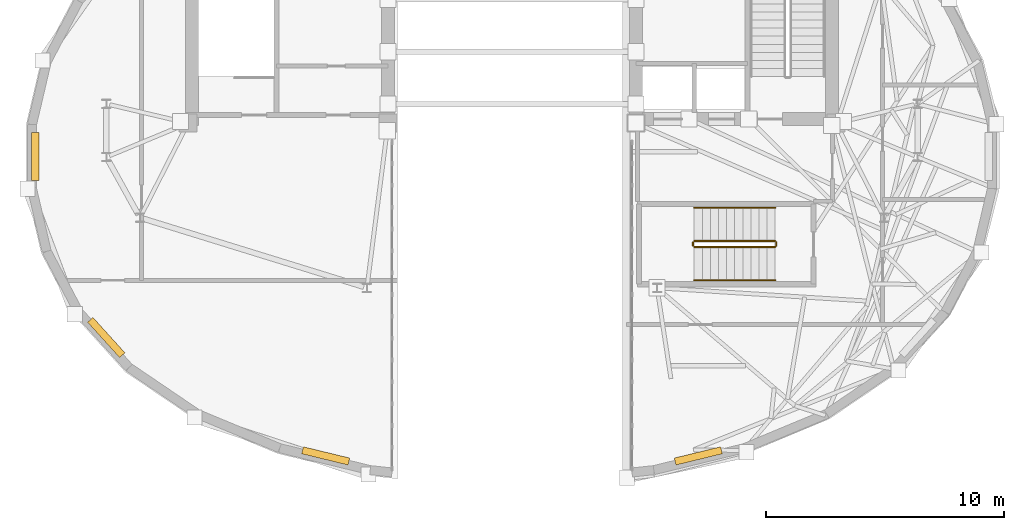
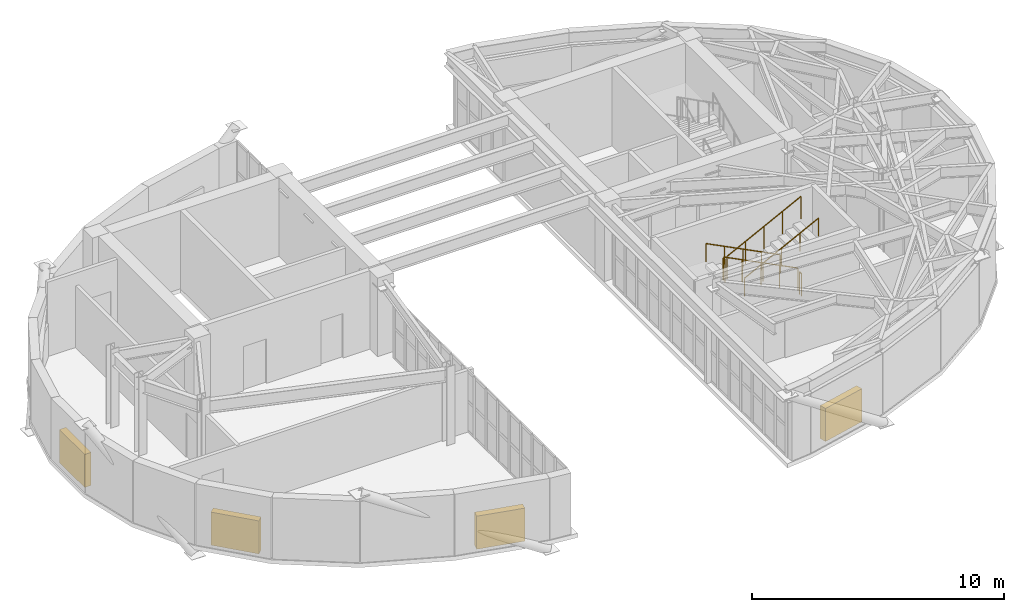
# One storey, part 11 of 13: 6 railings, 4 shading devices.
"""IFC4 building model written with IfcOpenShell, lengths in metres."""

from ifc_helpers import new_model, si_unit, direction, frame, origin, origin_2d, place, context, subcontext, project, spatial, rectangle, circle, extrude, material, type_object, element, save


model = new_model("IFC4")

# Units and contexts
model_context = context("Model", 3, precision=1e-05, world=origin(), true_north=direction((0.0, 1.0)))
body_context = subcontext(model_context, "Body", "Model", "MODEL_VIEW")
ifc_project = project(units=[si_unit("LENGTHUNIT", "METRE"), si_unit("AREAUNIT", "SQUARE_METRE"), si_unit("VOLUMEUNIT", "CUBIC_METRE"), si_unit("PLANEANGLEUNIT", "RADIAN"), si_unit("MASSUNIT", "GRAM", prefix="KILO")], contexts=[model_context])

# Site, building, storey
site_placement = place(None, origin())
site = spatial("IfcSite", under=ifc_project, at=site_placement, CompositionType="ELEMENT")
building_placement = place(site_placement, origin())
building = spatial("IfcBuilding", under=site, at=building_placement, Name="Keldmark Tower", CompositionType="ELEMENT")
storey_placement = place(building_placement, frame((0.0, 0.0, 280.60009765625)))
storey = spatial("IfcBuildingStorey", under=building, at=storey_placement, Name="L79", CompositionType="ELEMENT", Elevation=280.60009765625)

# Shading devices
ifc_material_1 = material(Name="Fluoropolymer-Coated Extruded Aluminum Stormproof Blades", Category="aluminium")
shading_device_type = type_object("IfcShadingDeviceType", Name="Mechanical Floor Acoustic Intake Louvre", PredefinedType="JALOUSIE", material=ifc_material_1)
for number, where, z_axis, x_axis, name in (
    (1, (7.820556640625, -12.569580078125, -0.000244140625), (0.0, 0.0, 1.0), (0.971821293316, 0.235718844936, 0.0), "L79 Crown Screen Acoustic Louvre E13"),
    (2, (-7.820556640625, -12.569580078125, -0.000244140625), (0.0, 0.0, 1.0), (0.971821293316, -0.235718844936, 0.0), "L79 Crown Screen Acoustic Louvre W01"),
    (3, (-17.0322265625, -7.599365234375, -0.000244140625), (0.0, 0.0, 1.0), (0.671151494219, -0.741320222176, 0.0), "L79 Crown Screen Acoustic Louvre W04"),
    (4, (-20.012451171875, 0.0, -0.000244140625), (0.0, 0.0, 1.0), (0.0, -1.0, 0.0), "L79 Crown Screen Acoustic Louvre W07"),
):
    element("IfcShadingDevice", number, at=place(storey_placement, frame(where, z_axis=z_axis, x_axis=x_axis)), inside=storey, type_object=shading_device_type, Name=name, PredefinedType="JALOUSIE", context=body_context, shape_type="SweptSolid", body=[
        extrude(rectangle(XDim=2.0, YDim=0.300048828125, at=origin_2d()), origin(), (0.0, 0.0, 1.0), 1.60009765625),
    ])

# Railings
ifc_material_2 = material(Name="Painted Steel ASTM A500 Grade B", Category="steel")
railing_type_1 = type_object("IfcRailingType", Name="Painted Steel Stair Well Guard 1100 mm", PredefinedType="GUARDRAIL", material=ifc_material_2)
railing_1_placement = place(storey_placement, frame((11.050048828125, -3.550048828125, 0.172607421875)))
element("IfcRailing", 5, at=railing_1_placement, inside=storey, type_object=railing_type_1, Name="L79 ST4 stair guard 1", PredefinedType="GUARDRAIL", context=body_context, shape_type="SweptSolid", body=[
    extrude(circle(Radius=0.02392578125, at=origin_2d()), frame((0.0, 0.0, 1.076171875), z_axis=(-0.891553839763, 0.0, 0.452914727962), x_axis=(0.0, -1.0, 0.0)), (0.0, 0.0, 1.0), 3.813720703125),
    extrude(circle(Radius=0.02099609375, at=origin_2d()), origin(), (0.0, 0.0, 1.0), 1.052001953125),
    extrude(circle(Radius=0.02099609375, at=origin_2d()), frame((-0.85009765625, 0.0, 0.431884765625)), (0.0, 0.0, 1.0), 1.052001953125),
    extrude(circle(Radius=0.02099609375, at=origin_2d()), frame((-1.7001953125, 0.0, 0.86376953125)), (0.0, 0.0, 1.0), 1.052001953125),
    extrude(circle(Radius=0.02099609375, at=origin_2d()), frame((-2.550048828125, 0.0, 1.29541015625)), (0.0, 0.0, 1.0), 1.052001953125),
    extrude(circle(Radius=0.02099609375, at=origin_2d()), frame((-3.400146484375, 0.0, 1.727294921875)), (0.0, 0.0, 1.0), 1.052001953125),
])
railing_2_placement = place(storey_placement, frame((7.60009765625, -3.60009765625, 1.89990234375)))
element("IfcRailing", 6, at=railing_2_placement, inside=storey, type_object=railing_type_1, Name="L79 ST4 stair guard 2", PredefinedType="GUARDRAIL", context=body_context, shape_type="SweptSolid", body=[
    extrude(circle(Radius=0.02392578125, at=origin_2d()), frame((0.0, 0.0, 1.076171875), z_axis=(0.0, -1.0, 0.0), x_axis=(1.0, 0.0, 0.0)), (0.0, 0.0, 1.0), 0.14990234375),
    extrude(circle(Radius=0.02099609375, at=origin_2d()), origin(), (0.0, 0.0, 1.0), 1.052001953125),
    extrude(circle(Radius=0.02099609375, at=origin_2d()), frame((0.0, -0.14990234375, 0.0)), (0.0, 0.0, 1.0), 1.052001953125),
])
railing_3_placement = place(storey_placement, frame((7.64990234375, -3.800048828125, 2.072509765625)))
element("IfcRailing", 7, at=railing_3_placement, inside=storey, type_object=railing_type_1, Name="L79 ST4 stair guard 3", PredefinedType="GUARDRAIL", context=body_context, shape_type="SweptSolid", body=[
    extrude(circle(Radius=0.02392578125, at=origin_2d()), frame((0.0, 0.0, 1.076171875), z_axis=(0.891553839763, 0.0, 0.452914727962), x_axis=(0.0, 1.0, 0.0)), (0.0, 0.0, 1.0), 3.813720703125),
    extrude(circle(Radius=0.02099609375, at=origin_2d()), origin(), (0.0, 0.0, 1.0), 1.052001953125),
    extrude(circle(Radius=0.02099609375, at=origin_2d()), frame((0.85009765625, 0.0, 0.431884765625)), (0.0, 0.0, 1.0), 1.052001953125),
    extrude(circle(Radius=0.02099609375, at=origin_2d()), frame((1.7001953125, 0.0, 0.86376953125)), (0.0, 0.0, 1.0), 1.052001953125),
    extrude(circle(Radius=0.02099609375, at=origin_2d()), frame((2.550048828125, 0.0, 1.29541015625)), (0.0, 0.0, 1.0), 1.052001953125),
    extrude(circle(Radius=0.02099609375, at=origin_2d()), frame((3.400146484375, 0.0, 1.727294921875)), (0.0, 0.0, 1.0), 1.052001953125),
])
railing_4_placement = place(storey_placement, frame((11.10009765625, -3.60009765625, 0.0)))
element("IfcRailing", 8, at=railing_4_placement, inside=storey, type_object=railing_type_1, Name="L79 ST4 stair guard 4", PredefinedType="GUARDRAIL", context=body_context, shape_type="SweptSolid", body=[
    extrude(circle(Radius=0.02392578125, at=origin_2d()), frame((0.0, 0.0, 1.076171875), z_axis=(0.0, -1.0, 0.0), x_axis=(1.0, 0.0, 0.0)), (0.0, 0.0, 1.0), 0.14990234375),
    extrude(circle(Radius=0.02099609375, at=origin_2d()), origin(), (0.0, 0.0, 1.0), 1.052001953125),
    extrude(circle(Radius=0.02099609375, at=origin_2d()), frame((0.0, -0.14990234375, 0.0)), (0.0, 0.0, 1.0), 1.052001953125),
])
ifc_material_3 = material(Name="Stainless Steel AISI 316L", Category="steel")
railing_type_2 = type_object("IfcRailingType", Name="Stainless Steel Stair Handrail 900 mm", PredefinedType="HANDRAIL", material=ifc_material_3)
railing_5_placement = place(storey_placement, frame((11.050048828125, -2.14990234375, 0.172607421875)))
element("IfcRailing", 9, at=railing_5_placement, inside=storey, type_object=railing_type_2, Name="L79 ST4 stair handrail 1", PredefinedType="HANDRAIL", context=body_context, shape_type="SweptSolid", body=[
    extrude(circle(Radius=0.02392578125, at=origin_2d()), frame((0.0, 0.0, 0.8759765625), z_axis=(-0.891553839763, 0.0, 0.452914727962), x_axis=(0.0, -1.0, 0.0)), (0.0, 0.0, 1.0), 3.813720703125),
    extrude(circle(Radius=0.02099609375, at=origin_2d()), origin(), (0.0, 0.0, 1.0), 0.851806640625),
    extrude(circle(Radius=0.02099609375, at=origin_2d()), frame((-0.85009765625, 0.0, 0.431884765625)), (0.0, 0.0, 1.0), 0.851806640625),
    extrude(circle(Radius=0.02099609375, at=origin_2d()), frame((-1.7001953125, 0.0, 0.86376953125)), (0.0, 0.0, 1.0), 0.851806640625),
    extrude(circle(Radius=0.02099609375, at=origin_2d()), frame((-2.550048828125, 0.0, 1.29541015625)), (0.0, 0.0, 1.0), 0.851806640625),
    extrude(circle(Radius=0.02099609375, at=origin_2d()), frame((-3.400146484375, 0.0, 1.727294921875)), (0.0, 0.0, 1.0), 0.851806640625),
])
railing_6_placement = place(storey_placement, frame((7.64990234375, -5.199951171875, 2.072509765625)))
element("IfcRailing", 10, at=railing_6_placement, inside=storey, type_object=railing_type_2, Name="L79 ST4 stair handrail 2", PredefinedType="HANDRAIL", context=body_context, shape_type="SweptSolid", body=[
    extrude(circle(Radius=0.02392578125, at=origin_2d()), frame((0.0, 0.0, 0.8759765625), z_axis=(0.891553839763, 0.0, 0.452914727962), x_axis=(0.0, 1.0, 0.0)), (0.0, 0.0, 1.0), 3.813720703125),
    extrude(circle(Radius=0.02099609375, at=origin_2d()), origin(), (0.0, 0.0, 1.0), 0.851806640625),
    extrude(circle(Radius=0.02099609375, at=origin_2d()), frame((0.85009765625, 0.0, 0.431884765625)), (0.0, 0.0, 1.0), 0.851806640625),
    extrude(circle(Radius=0.02099609375, at=origin_2d()), frame((1.7001953125, 0.0, 0.86376953125)), (0.0, 0.0, 1.0), 0.851806640625),
    extrude(circle(Radius=0.02099609375, at=origin_2d()), frame((2.550048828125, 0.0, 1.29541015625)), (0.0, 0.0, 1.0), 0.851806640625),
    extrude(circle(Radius=0.02099609375, at=origin_2d()), frame((3.400146484375, 0.0, 1.727294921875)), (0.0, 0.0, 1.0), 0.851806640625),
])

save(model, "model.ifc")
